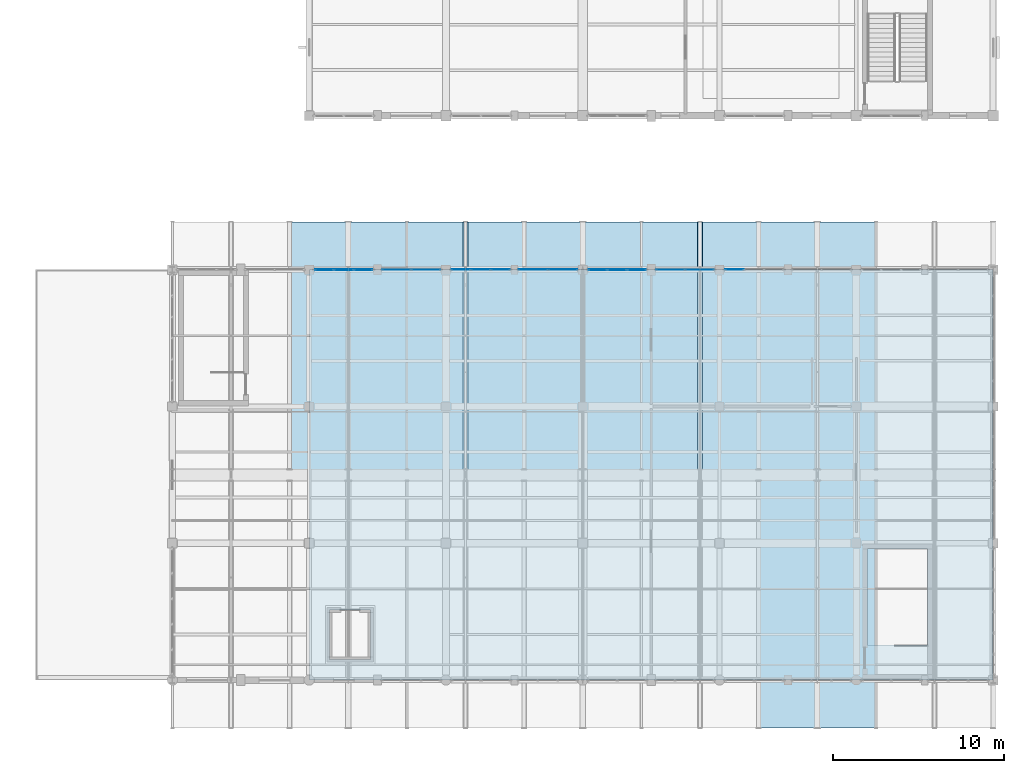
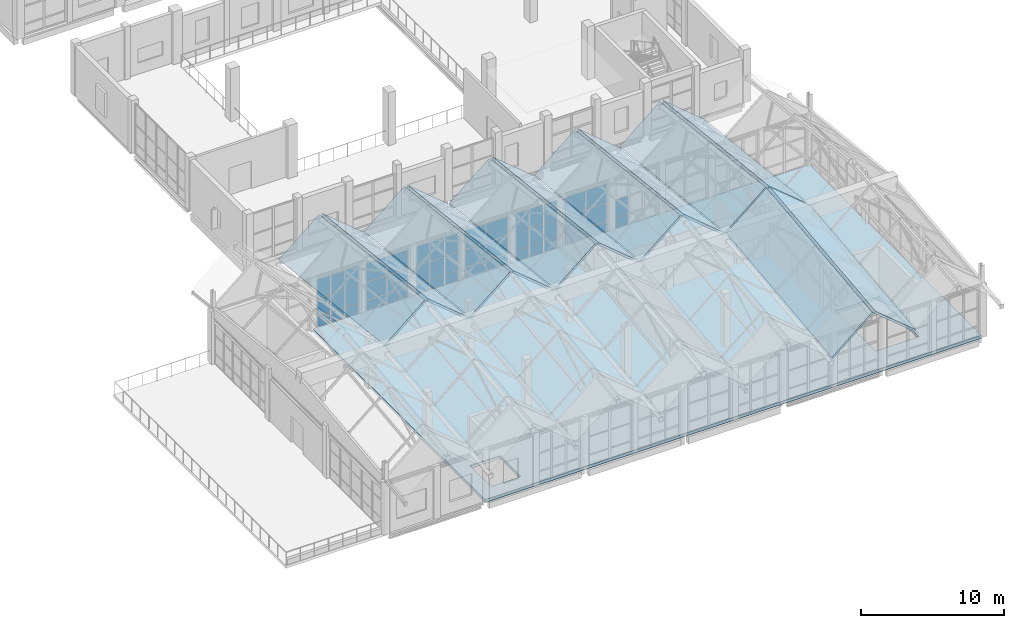
# One storey, part 126 of 183: 47 plates, 13 slabs, 7 elements without a shape of their own.
"""IFC4 building model written with IfcOpenShell, lengths in metres."""

from ifc_helpers import new_model, si_unit, direction, frame, origin, origin_2d, place, context, subcontext, project, spatial, polyline, rectangle, outline, extrude, material, layer, layer_set, type_object, element, aggregate, save


model = new_model("IFC4")

# Units and contexts
model_context = context("Model", 3, precision=1e-05, world=origin(), true_north=direction((0.0, 1.0)))
body_context = subcontext(model_context, "Body", "Model", "MODEL_VIEW")
ifc_project = project(units=[si_unit("LENGTHUNIT", "METRE"), si_unit("AREAUNIT", "SQUARE_METRE"), si_unit("VOLUMEUNIT", "CUBIC_METRE"), si_unit("PLANEANGLEUNIT", "RADIAN"), si_unit("MASSUNIT", "GRAM", prefix="KILO")], contexts=[model_context])

# Site, building, storey
site_placement = place(None, origin())
site = spatial("IfcSite", under=ifc_project, at=site_placement, CompositionType="ELEMENT")
building_placement = place(site_placement, origin())
building = spatial("IfcBuilding", under=site, at=building_placement, Name="Luwemba Playhouse", CompositionType="ELEMENT")
storey_placement = place(building_placement, frame((0.0, 0.0, 4.800048828125)))
storey = spatial("IfcBuildingStorey", under=building, at=storey_placement, Name="L01", CompositionType="ELEMENT", Elevation=4.800048828125)

# Curtain wall, plates
ifc_material_1 = material(Name="Solar-control double glazing", Category="glass")
curtain_wall_type_1 = type_object("IfcCurtainWallType", Name="CW-CW120", PredefinedType="USERDEFINED", material=ifc_material_1)
curtain_wall_1_placement = place(storey_placement, origin())
curtain_wall_1 = element("IfcCurtainWall", 1, at=curtain_wall_1_placement, inside=storey, type_object=curtain_wall_type_1, Name="L01 V5E unitised curtain wall 158", ObjectType="UNITISED GLAZING", PredefinedType="USERDEFINED")
ifc_layer_1 = layer(ifc_material_1, 0.02392578125)
ifc_layer_set_1 = layer_set([ifc_layer_1], Name="Solar-control double glazing")
plate_type_1 = type_object("IfcPlateType", Name="CWP-P1", PredefinedType="CURTAIN_PANEL", material=ifc_layer_set_1)
plate_1_placement = place(storey_placement, frame((137.114990234375, 27.0, 0.059814453125), z_axis=(0.0, 0.0, 1.0), x_axis=(1.0, 0.0, 0.0)))
plate_1 = element("IfcPlate", 2, at=plate_1_placement, type_object=plate_type_1, Name="CW120 panel 1.1", PredefinedType="CURTAIN_PANEL", context=body_context, shape_type="SweptSolid", body=[
    extrude(rectangle(XDim=1.659912109375, YDim=0.02392578125, at=origin_2d()), origin(), (0.0, 0.0, 1.0), 0.81005859375),
])
plate_2_placement = place(storey_placement, frame((137.114990234375, 27.0, 0.93017578125), z_axis=(0.0, 0.0, 1.0), x_axis=(1.0, 0.0, 0.0)))
plate_2 = element("IfcPlate", 3, at=plate_2_placement, type_object=plate_type_1, Name="CW120 panel 1.2", PredefinedType="CURTAIN_PANEL", context=body_context, shape_type="SweptSolid", body=[
    extrude(rectangle(XDim=1.659912109375, YDim=0.02392578125, at=origin_2d()), origin(), (0.0, 0.0, 1.0), 1.489990234375),
])
plate_3_placement = place(storey_placement, frame((137.114990234375, 27.0, 2.47998046875), z_axis=(0.0, 0.0, 1.0), x_axis=(1.0, 0.0, 0.0)))
plate_3 = element("IfcPlate", 4, at=plate_3_placement, type_object=plate_type_1, Name="CW120 panel 1.3", PredefinedType="CURTAIN_PANEL", context=body_context, shape_type="SweptSolid", body=[
    extrude(rectangle(XDim=1.659912109375, YDim=0.02392578125, at=origin_2d()), origin(), (0.0, 0.0, 1.0), 1.5849609375),
])
plate_4_placement = place(storey_placement, frame((138.8349609375, 27.0, 0.059814453125), z_axis=(0.0, 0.0, 1.0), x_axis=(1.0, 0.0, 0.0)))
plate_4 = element("IfcPlate", 5, at=plate_4_placement, type_object=plate_type_1, Name="CW120 panel 2.1", PredefinedType="CURTAIN_PANEL", context=body_context, shape_type="SweptSolid", body=[
    extrude(rectangle(XDim=1.659912109375, YDim=0.02392578125, at=origin_2d()), origin(), (0.0, 0.0, 1.0), 0.81005859375),
])
plate_5_placement = place(storey_placement, frame((138.8349609375, 27.0, 0.93017578125), z_axis=(0.0, 0.0, 1.0), x_axis=(1.0, 0.0, 0.0)))
plate_5 = element("IfcPlate", 6, at=plate_5_placement, type_object=plate_type_1, Name="CW120 panel 2.2", PredefinedType="CURTAIN_PANEL", context=body_context, shape_type="SweptSolid", body=[
    extrude(rectangle(XDim=1.659912109375, YDim=0.02392578125, at=origin_2d()), origin(), (0.0, 0.0, 1.0), 1.489990234375),
])
plate_6_placement = place(storey_placement, frame((138.8349609375, 27.0, 2.47998046875), z_axis=(0.0, 0.0, 1.0), x_axis=(1.0, 0.0, 0.0)))
plate_6 = element("IfcPlate", 7, at=plate_6_placement, type_object=plate_type_1, Name="CW120 panel 2.3", PredefinedType="CURTAIN_PANEL", context=body_context, shape_type="SweptSolid", body=[
    extrude(rectangle(XDim=1.659912109375, YDim=0.02392578125, at=origin_2d()), origin(), (0.0, 0.0, 1.0), 1.5849609375),
])
aggregate(curtain_wall_1, [plate_1, plate_2, plate_3, plate_4, plate_5, plate_6])

curtain_wall_type_2 = type_object("IfcCurtainWallType", Name="CW-CW124", PredefinedType="USERDEFINED", material=ifc_material_1)
curtain_wall_2_placement = place(storey_placement, origin())
curtain_wall_2 = element("IfcCurtainWall", 8, at=curtain_wall_2_placement, inside=storey, type_object=curtain_wall_type_2, Name="L01 V5E unitised curtain wall 162", ObjectType="UNITISED GLAZING", PredefinedType="USERDEFINED")
plate_7_placement = place(storey_placement, frame((153.1337890625, 27.0, 0.059814453125), z_axis=(0.0, 0.0, 1.0), x_axis=(1.0, 0.0, 0.0)))
plate_7 = element("IfcPlate", 9, at=plate_7_placement, type_object=plate_type_1, Name="CW124 panel 1.1", PredefinedType="CURTAIN_PANEL", context=body_context, shape_type="SweptSolid", body=[
    extrude(rectangle(XDim=1.6474609375, YDim=0.02392578125, at=origin_2d()), origin(), (0.0, 0.0, 1.0), 0.81005859375),
])
plate_8_placement = place(storey_placement, frame((153.1337890625, 27.0, 0.93017578125), z_axis=(0.0, 0.0, 1.0), x_axis=(1.0, 0.0, 0.0)))
plate_8 = element("IfcPlate", 10, at=plate_8_placement, type_object=plate_type_1, Name="CW124 panel 1.2", PredefinedType="CURTAIN_PANEL", context=body_context, shape_type="SweptSolid", body=[
    extrude(rectangle(XDim=1.6474609375, YDim=0.02392578125, at=origin_2d()), origin(), (0.0, 0.0, 1.0), 1.489990234375),
])
plate_9_placement = place(storey_placement, frame((153.1337890625, 27.0, 2.47998046875), z_axis=(0.0, 0.0, 1.0), x_axis=(1.0, 0.0, 0.0)))
plate_9 = element("IfcPlate", 11, at=plate_9_placement, type_object=plate_type_1, Name="CW124 panel 1.3", PredefinedType="CURTAIN_PANEL", context=body_context, shape_type="SweptSolid", body=[
    extrude(rectangle(XDim=1.6474609375, YDim=0.02392578125, at=origin_2d()), origin(), (0.0, 0.0, 1.0), 1.5849609375),
])
plate_10_placement = place(storey_placement, frame((154.84130859375, 27.0, 0.059814453125), z_axis=(0.0, 0.0, 1.0), x_axis=(1.0, 0.0, 0.0)))
plate_10 = element("IfcPlate", 12, at=plate_10_placement, type_object=plate_type_1, Name="CW124 panel 2.1", PredefinedType="CURTAIN_PANEL", context=body_context, shape_type="SweptSolid", body=[
    extrude(rectangle(XDim=1.6474609375, YDim=0.02392578125, at=origin_2d()), origin(), (0.0, 0.0, 1.0), 0.81005859375),
])
plate_11_placement = place(storey_placement, frame((154.84130859375, 27.0, 0.93017578125), z_axis=(0.0, 0.0, 1.0), x_axis=(1.0, 0.0, 0.0)))
plate_11 = element("IfcPlate", 13, at=plate_11_placement, type_object=plate_type_1, Name="CW124 panel 2.2", PredefinedType="CURTAIN_PANEL", context=body_context, shape_type="SweptSolid", body=[
    extrude(rectangle(XDim=1.6474609375, YDim=0.02392578125, at=origin_2d()), origin(), (0.0, 0.0, 1.0), 1.489990234375),
])
plate_12_placement = place(storey_placement, frame((154.84130859375, 27.0, 2.47998046875), z_axis=(0.0, 0.0, 1.0), x_axis=(1.0, 0.0, 0.0)))
plate_12 = element("IfcPlate", 14, at=plate_12_placement, type_object=plate_type_1, Name="CW124 panel 2.3", PredefinedType="CURTAIN_PANEL", context=body_context, shape_type="SweptSolid", body=[
    extrude(rectangle(XDim=1.6474609375, YDim=0.02392578125, at=origin_2d()), origin(), (0.0, 0.0, 1.0), 1.5849609375),
])
aggregate(curtain_wall_2, [plate_7, plate_8, plate_9, plate_10, plate_11, plate_12])

curtain_wall_type_3 = type_object("IfcCurtainWallType", Name="CW-CW121", PredefinedType="USERDEFINED", material=ifc_material_1)
curtain_wall_3_placement = place(storey_placement, origin())
curtain_wall_3 = element("IfcCurtainWall", 15, at=curtain_wall_3_placement, inside=storey, type_object=curtain_wall_type_3, Name="L01 V5E unitised curtain wall 159", ObjectType="UNITISED GLAZING", PredefinedType="USERDEFINED")
ifc_layer_2 = layer(ifc_material_1, 0.028076171875)
ifc_layer_set_2 = layer_set([ifc_layer_2], Name="Solar-control double glazing")
plate_type_2 = type_object("IfcPlateType", Name="CWP-P2", PredefinedType="CURTAIN_PANEL", material=ifc_layer_set_2)
plate_13_placement = place(storey_placement, frame((140.878662109375, 27.0, 0.054931640625), z_axis=(0.0, 0.0, 1.0), x_axis=(1.0, 0.0, 0.0)))
plate_13 = element("IfcPlate", 16, at=plate_13_placement, type_object=plate_type_2, Name="CW121 panel 1.1", PredefinedType="CURTAIN_PANEL", context=body_context, shape_type="SweptSolid", body=[
    extrude(rectangle(XDim=1.077392578125, YDim=0.028076171875, at=origin_2d()), origin(), (0.0, 0.0, 1.0), 0.8173828125),
])
plate_14_placement = place(storey_placement, frame((140.878662109375, 27.0, 0.927490234375), z_axis=(0.0, 0.0, 1.0), x_axis=(1.0, 0.0, 0.0)))
plate_14 = element("IfcPlate", 17, at=plate_14_placement, type_object=plate_type_2, Name="CW121 panel 1.2", PredefinedType="CURTAIN_PANEL", context=body_context, shape_type="SweptSolid", body=[
    extrude(rectangle(XDim=1.077392578125, YDim=0.028076171875, at=origin_2d()), origin(), (0.0, 0.0, 1.0), 1.4951171875),
])
plate_15_placement = place(storey_placement, frame((140.878662109375, 27.0, 2.4775390625), z_axis=(0.0, 0.0, 1.0), x_axis=(1.0, 0.0, 0.0)))
plate_15 = element("IfcPlate", 18, at=plate_15_placement, type_object=plate_type_2, Name="CW121 panel 1.3", PredefinedType="CURTAIN_PANEL", context=body_context, shape_type="SweptSolid", body=[
    extrude(rectangle(XDim=1.077392578125, YDim=0.028076171875, at=origin_2d()), origin(), (0.0, 0.0, 1.0), 1.592529296875),
])
plate_16_placement = place(storey_placement, frame((142.03759765625, 27.0, 0.054931640625), z_axis=(0.0, 0.0, 1.0), x_axis=(1.0, 0.0, 0.0)))
plate_16 = element("IfcPlate", 19, at=plate_16_placement, type_object=plate_type_2, Name="CW121 panel 2.1", PredefinedType="CURTAIN_PANEL", context=body_context, shape_type="SweptSolid", body=[
    extrude(rectangle(XDim=1.110107421875, YDim=0.028076171875, at=origin_2d()), origin(), (0.0, 0.0, 1.0), 0.8173828125),
])
plate_17_placement = place(storey_placement, frame((142.03759765625, 27.0, 0.927490234375), z_axis=(0.0, 0.0, 1.0), x_axis=(1.0, 0.0, 0.0)))
plate_17 = element("IfcPlate", 20, at=plate_17_placement, type_object=plate_type_2, Name="CW121 panel 2.2", PredefinedType="CURTAIN_PANEL", context=body_context, shape_type="SweptSolid", body=[
    extrude(rectangle(XDim=1.110107421875, YDim=0.028076171875, at=origin_2d()), origin(), (0.0, 0.0, 1.0), 1.4951171875),
])
plate_18_placement = place(storey_placement, frame((142.03759765625, 27.0, 2.4775390625), z_axis=(0.0, 0.0, 1.0), x_axis=(1.0, 0.0, 0.0)))
plate_18 = element("IfcPlate", 21, at=plate_18_placement, type_object=plate_type_2, Name="CW121 panel 2.3", PredefinedType="CURTAIN_PANEL", context=body_context, shape_type="SweptSolid", body=[
    extrude(rectangle(XDim=1.110107421875, YDim=0.028076171875, at=origin_2d()), origin(), (0.0, 0.0, 1.0), 1.592529296875),
])
plate_19_placement = place(storey_placement, frame((143.1962890625, 27.0, 0.054931640625), z_axis=(0.0, 0.0, 1.0), x_axis=(1.0, 0.0, 0.0)))
plate_19 = element("IfcPlate", 22, at=plate_19_placement, type_object=plate_type_2, Name="CW121 panel 3.1", PredefinedType="CURTAIN_PANEL", context=body_context, shape_type="SweptSolid", body=[
    extrude(rectangle(XDim=1.077392578125, YDim=0.028076171875, at=origin_2d()), origin(), (0.0, 0.0, 1.0), 0.8173828125),
])
plate_20_placement = place(storey_placement, frame((143.1962890625, 27.0, 0.927490234375), z_axis=(0.0, 0.0, 1.0), x_axis=(1.0, 0.0, 0.0)))
plate_20 = element("IfcPlate", 23, at=plate_20_placement, type_object=plate_type_2, Name="CW121 panel 3.2", PredefinedType="CURTAIN_PANEL", context=body_context, shape_type="SweptSolid", body=[
    extrude(rectangle(XDim=1.077392578125, YDim=0.028076171875, at=origin_2d()), origin(), (0.0, 0.0, 1.0), 1.4951171875),
])
plate_21_placement = place(storey_placement, frame((143.1962890625, 27.0, 2.4775390625), z_axis=(0.0, 0.0, 1.0), x_axis=(1.0, 0.0, 0.0)))
plate_21 = element("IfcPlate", 24, at=plate_21_placement, type_object=plate_type_2, Name="CW121 panel 3.3", PredefinedType="CURTAIN_PANEL", context=body_context, shape_type="SweptSolid", body=[
    extrude(rectangle(XDim=1.077392578125, YDim=0.028076171875, at=origin_2d()), origin(), (0.0, 0.0, 1.0), 1.592529296875),
])
aggregate(curtain_wall_3, [plate_13, plate_14, plate_15, plate_16, plate_17, plate_18, plate_19, plate_20, plate_21])

curtain_wall_type_4 = type_object("IfcCurtainWallType", Name="CW-CW125", PredefinedType="USERDEFINED", material=ifc_material_1)
curtain_wall_4_placement = place(storey_placement, origin())
curtain_wall_4 = element("IfcCurtainWall", 25, at=curtain_wall_4_placement, inside=storey, type_object=curtain_wall_type_4, Name="L01 V5E unitised curtain wall 163", ObjectType="UNITISED GLAZING", PredefinedType="USERDEFINED")
plate_22_placement = place(storey_placement, frame((156.87451171875, 27.0, 0.054931640625), z_axis=(0.0, 0.0, 1.0), x_axis=(1.0, 0.0, 0.0)))
plate_22 = element("IfcPlate", 26, at=plate_22_placement, type_object=plate_type_2, Name="CW125 panel 1.1", PredefinedType="CURTAIN_PANEL", context=body_context, shape_type="SweptSolid", body=[
    extrude(rectangle(XDim=1.069091796875, YDim=0.028076171875, at=origin_2d()), origin(), (0.0, 0.0, 1.0), 0.8173828125),
])
plate_23_placement = place(storey_placement, frame((156.87451171875, 27.0, 0.927490234375), z_axis=(0.0, 0.0, 1.0), x_axis=(1.0, 0.0, 0.0)))
plate_23 = element("IfcPlate", 27, at=plate_23_placement, type_object=plate_type_2, Name="CW125 panel 1.2", PredefinedType="CURTAIN_PANEL", context=body_context, shape_type="SweptSolid", body=[
    extrude(rectangle(XDim=1.069091796875, YDim=0.028076171875, at=origin_2d()), origin(), (0.0, 0.0, 1.0), 1.4951171875),
])
aggregate(curtain_wall_4, [plate_22, plate_23])

curtain_wall_type_5 = type_object("IfcCurtainWallType", Name="CW-CW122", PredefinedType="USERDEFINED", material=ifc_material_1)
curtain_wall_5_placement = place(storey_placement, origin())
curtain_wall_5 = element("IfcCurtainWall", 28, at=curtain_wall_5_placement, inside=storey, type_object=curtain_wall_type_5, Name="L01 V5E unitised curtain wall 160", ObjectType="UNITISED GLAZING", PredefinedType="USERDEFINED")
ifc_layer_3 = layer(ifc_material_1, 0.031982421875)
ifc_layer_set_3 = layer_set([ifc_layer_3], Name="Solar-control double glazing")
plate_type_3 = type_object("IfcPlateType", Name="CWP-P3", PredefinedType="CURTAIN_PANEL", material=ifc_layer_set_3)
plate_24_placement = place(storey_placement, frame((145.094970703125, 27.0, 0.06494140625), z_axis=(0.0, 0.0, 1.0), x_axis=(1.0, 0.0, 0.0)))
plate_24 = element("IfcPlate", 29, at=plate_24_placement, type_object=plate_type_3, Name="CW122 panel 1.1", PredefinedType="CURTAIN_PANEL", context=body_context, shape_type="SweptSolid", body=[
    extrude(rectangle(XDim=1.679931640625, YDim=0.031982421875, at=origin_2d()), origin(), (0.0, 0.0, 1.0), 0.802490234375),
])
plate_25_placement = place(storey_placement, frame((145.094970703125, 27.0, 0.9326171875), z_axis=(0.0, 0.0, 1.0), x_axis=(1.0, 0.0, 0.0)))
plate_25 = element("IfcPlate", 30, at=plate_25_placement, type_object=plate_type_3, Name="CW122 panel 1.2", PredefinedType="CURTAIN_PANEL", context=body_context, shape_type="SweptSolid", body=[
    extrude(rectangle(XDim=1.679931640625, YDim=0.031982421875, at=origin_2d()), origin(), (0.0, 0.0, 1.0), 1.485107421875),
])
plate_26_placement = place(storey_placement, frame((145.094970703125, 27.0, 2.482421875), z_axis=(0.0, 0.0, 1.0), x_axis=(1.0, 0.0, 0.0)))
plate_26 = element("IfcPlate", 31, at=plate_26_placement, type_object=plate_type_3, Name="CW122 panel 1.3", PredefinedType="CURTAIN_PANEL", context=body_context, shape_type="SweptSolid", body=[
    extrude(rectangle(XDim=1.679931640625, YDim=0.031982421875, at=origin_2d()), origin(), (0.0, 0.0, 1.0), 1.577392578125),
])
plate_27_placement = place(storey_placement, frame((146.830078125, 27.0, 0.06494140625), z_axis=(0.0, 0.0, 1.0), x_axis=(1.0, 0.0, 0.0)))
plate_27 = element("IfcPlate", 32, at=plate_27_placement, type_object=plate_type_3, Name="CW122 panel 2.1", PredefinedType="CURTAIN_PANEL", context=body_context, shape_type="SweptSolid", body=[
    extrude(rectangle(XDim=1.679931640625, YDim=0.031982421875, at=origin_2d()), origin(), (0.0, 0.0, 1.0), 0.802490234375),
])
plate_28_placement = place(storey_placement, frame((146.830078125, 27.0, 0.9326171875), z_axis=(0.0, 0.0, 1.0), x_axis=(1.0, 0.0, 0.0)))
plate_28 = element("IfcPlate", 33, at=plate_28_placement, type_object=plate_type_3, Name="CW122 panel 2.2", PredefinedType="CURTAIN_PANEL", context=body_context, shape_type="SweptSolid", body=[
    extrude(rectangle(XDim=1.679931640625, YDim=0.031982421875, at=origin_2d()), origin(), (0.0, 0.0, 1.0), 1.485107421875),
])
plate_29_placement = place(storey_placement, frame((146.830078125, 27.0, 2.482421875), z_axis=(0.0, 0.0, 1.0), x_axis=(1.0, 0.0, 0.0)))
plate_29 = element("IfcPlate", 34, at=plate_29_placement, type_object=plate_type_3, Name="CW122 panel 2.3", PredefinedType="CURTAIN_PANEL", context=body_context, shape_type="SweptSolid", body=[
    extrude(rectangle(XDim=1.679931640625, YDim=0.031982421875, at=origin_2d()), origin(), (0.0, 0.0, 1.0), 1.577392578125),
])
aggregate(curtain_wall_5, [plate_24, plate_25, plate_26, plate_27, plate_28, plate_29])

curtain_wall_type_6 = type_object("IfcCurtainWallType", Name="CW-CW119", PredefinedType="USERDEFINED", material=ifc_material_1)
curtain_wall_6_placement = place(storey_placement, origin())
curtain_wall_6 = element("IfcCurtainWall", 35, at=curtain_wall_6_placement, inside=storey, type_object=curtain_wall_type_6, Name="L01 V5E unitised curtain wall 157", ObjectType="UNITISED GLAZING", PredefinedType="USERDEFINED")
ifc_layer_4 = layer(ifc_material_1, 0.035888671875)
ifc_layer_set_4 = layer_set([ifc_layer_4], Name="Solar-control double glazing")
plate_type_4 = type_object("IfcPlateType", Name="CWP-P4", PredefinedType="CURTAIN_PANEL", material=ifc_layer_set_4)
plate_30_placement = place(storey_placement, frame((132.875732421875, 27.0, 0.0498046875), z_axis=(0.0, 0.0, 1.0), x_axis=(1.0, 0.0, 0.0)))
plate_30 = element("IfcPlate", 36, at=plate_30_placement, type_object=plate_type_4, Name="CW119 panel 1.1", PredefinedType="CURTAIN_PANEL", context=body_context, shape_type="SweptSolid", body=[
    extrude(rectangle(XDim=1.061767578125, YDim=0.035888671875, at=origin_2d()), origin(), (0.0, 0.0, 1.0), 0.824951171875),
])
plate_31_placement = place(storey_placement, frame((132.875732421875, 27.0, 0.925048828125), z_axis=(0.0, 0.0, 1.0), x_axis=(1.0, 0.0, 0.0)))
plate_31 = element("IfcPlate", 37, at=plate_31_placement, type_object=plate_type_4, Name="CW119 panel 1.2", PredefinedType="CURTAIN_PANEL", context=body_context, shape_type="SweptSolid", body=[
    extrude(rectangle(XDim=1.061767578125, YDim=0.035888671875, at=origin_2d()), origin(), (0.0, 0.0, 1.0), 1.5),
])
plate_32_placement = place(storey_placement, frame((132.875732421875, 27.0, 2.474853515625), z_axis=(0.0, 0.0, 1.0), x_axis=(1.0, 0.0, 0.0)))
plate_32 = element("IfcPlate", 38, at=plate_32_placement, type_object=plate_type_4, Name="CW119 panel 1.3", PredefinedType="CURTAIN_PANEL", context=body_context, shape_type="SweptSolid", body=[
    extrude(rectangle(XDim=1.061767578125, YDim=0.035888671875, at=origin_2d()), origin(), (0.0, 0.0, 1.0), 1.60009765625),
])
plate_33_placement = place(storey_placement, frame((134.02490234375, 27.0, 0.0498046875), z_axis=(0.0, 0.0, 1.0), x_axis=(1.0, 0.0, 0.0)))
plate_33 = element("IfcPlate", 39, at=plate_33_placement, type_object=plate_type_4, Name="CW119 panel 2.1", PredefinedType="CURTAIN_PANEL", context=body_context, shape_type="SweptSolid", body=[
    extrude(rectangle(XDim=1.0966796875, YDim=0.035888671875, at=origin_2d()), origin(), (0.0, 0.0, 1.0), 0.824951171875),
])
plate_34_placement = place(storey_placement, frame((134.02490234375, 27.0, 0.925048828125), z_axis=(0.0, 0.0, 1.0), x_axis=(1.0, 0.0, 0.0)))
plate_34 = element("IfcPlate", 40, at=plate_34_placement, type_object=plate_type_4, Name="CW119 panel 2.2", PredefinedType="CURTAIN_PANEL", context=body_context, shape_type="SweptSolid", body=[
    extrude(rectangle(XDim=1.0966796875, YDim=0.035888671875, at=origin_2d()), origin(), (0.0, 0.0, 1.0), 1.5),
])
plate_35_placement = place(storey_placement, frame((134.02490234375, 27.0, 2.474853515625), z_axis=(0.0, 0.0, 1.0), x_axis=(1.0, 0.0, 0.0)))
plate_35 = element("IfcPlate", 41, at=plate_35_placement, type_object=plate_type_4, Name="CW119 panel 2.3", PredefinedType="CURTAIN_PANEL", context=body_context, shape_type="SweptSolid", body=[
    extrude(rectangle(XDim=1.0966796875, YDim=0.035888671875, at=origin_2d()), origin(), (0.0, 0.0, 1.0), 1.60009765625),
])
plate_36_placement = place(storey_placement, frame((135.174072265625, 27.0, 0.0498046875), z_axis=(0.0, 0.0, 1.0), x_axis=(1.0, 0.0, 0.0)))
plate_36 = element("IfcPlate", 42, at=plate_36_placement, type_object=plate_type_4, Name="CW119 panel 3.1", PredefinedType="CURTAIN_PANEL", context=body_context, shape_type="SweptSolid", body=[
    extrude(rectangle(XDim=1.061767578125, YDim=0.035888671875, at=origin_2d()), origin(), (0.0, 0.0, 1.0), 0.824951171875),
])
plate_37_placement = place(storey_placement, frame((135.174072265625, 27.0, 0.925048828125), z_axis=(0.0, 0.0, 1.0), x_axis=(1.0, 0.0, 0.0)))
plate_37 = element("IfcPlate", 43, at=plate_37_placement, type_object=plate_type_4, Name="CW119 panel 3.2", PredefinedType="CURTAIN_PANEL", context=body_context, shape_type="SweptSolid", body=[
    extrude(rectangle(XDim=1.061767578125, YDim=0.035888671875, at=origin_2d()), origin(), (0.0, 0.0, 1.0), 1.5),
])
plate_38_placement = place(storey_placement, frame((135.174072265625, 27.0, 2.474853515625), z_axis=(0.0, 0.0, 1.0), x_axis=(1.0, 0.0, 0.0)))
plate_38 = element("IfcPlate", 44, at=plate_38_placement, type_object=plate_type_4, Name="CW119 panel 3.3", PredefinedType="CURTAIN_PANEL", context=body_context, shape_type="SweptSolid", body=[
    extrude(rectangle(XDim=1.061767578125, YDim=0.035888671875, at=origin_2d()), origin(), (0.0, 0.0, 1.0), 1.60009765625),
])
aggregate(curtain_wall_6, [plate_30, plate_31, plate_32, plate_33, plate_34, plate_35, plate_36, plate_37, plate_38])

curtain_wall_type_7 = type_object("IfcCurtainWallType", Name="CW-CW123", PredefinedType="USERDEFINED", material=ifc_material_1)
curtain_wall_7_placement = place(storey_placement, origin())
curtain_wall_7 = element("IfcCurtainWall", 45, at=curtain_wall_7_placement, inside=storey, type_object=curtain_wall_type_7, Name="L01 V5E unitised curtain wall 161", ObjectType="UNITISED GLAZING", PredefinedType="USERDEFINED")
plate_39_placement = place(storey_placement, frame((148.87158203125, 27.0, 0.0498046875), z_axis=(0.0, 0.0, 1.0), x_axis=(1.0, 0.0, 0.0)))
plate_39 = element("IfcPlate", 46, at=plate_39_placement, type_object=plate_type_4, Name="CW123 panel 1.1", PredefinedType="CURTAIN_PANEL", context=body_context, shape_type="SweptSolid", body=[
    extrude(rectangle(XDim=1.05322265625, YDim=0.035888671875, at=origin_2d()), origin(), (0.0, 0.0, 1.0), 0.824951171875),
])
plate_40_placement = place(storey_placement, frame((148.87158203125, 27.0, 0.925048828125), z_axis=(0.0, 0.0, 1.0), x_axis=(1.0, 0.0, 0.0)))
plate_40 = element("IfcPlate", 47, at=plate_40_placement, type_object=plate_type_4, Name="CW123 panel 1.2", PredefinedType="CURTAIN_PANEL", context=body_context, shape_type="SweptSolid", body=[
    extrude(rectangle(XDim=1.05322265625, YDim=0.035888671875, at=origin_2d()), origin(), (0.0, 0.0, 1.0), 1.5),
])
plate_41_placement = place(storey_placement, frame((148.87158203125, 27.0, 2.474853515625), z_axis=(0.0, 0.0, 1.0), x_axis=(1.0, 0.0, 0.0)))
plate_41 = element("IfcPlate", 48, at=plate_41_placement, type_object=plate_type_4, Name="CW123 panel 1.3", PredefinedType="CURTAIN_PANEL", context=body_context, shape_type="SweptSolid", body=[
    extrude(rectangle(XDim=1.05322265625, YDim=0.035888671875, at=origin_2d()), origin(), (0.0, 0.0, 1.0), 1.60009765625),
])
plate_42_placement = place(storey_placement, frame((150.012451171875, 27.0, 0.0498046875), z_axis=(0.0, 0.0, 1.0), x_axis=(1.0, 0.0, 0.0)))
plate_42 = element("IfcPlate", 49, at=plate_42_placement, type_object=plate_type_4, Name="CW123 panel 2.1", PredefinedType="CURTAIN_PANEL", context=body_context, shape_type="SweptSolid", body=[
    extrude(rectangle(XDim=1.08837890625, YDim=0.035888671875, at=origin_2d()), origin(), (0.0, 0.0, 1.0), 0.824951171875),
])
plate_43_placement = place(storey_placement, frame((150.012451171875, 27.0, 0.925048828125), z_axis=(0.0, 0.0, 1.0), x_axis=(1.0, 0.0, 0.0)))
plate_43 = element("IfcPlate", 50, at=plate_43_placement, type_object=plate_type_4, Name="CW123 panel 2.2", PredefinedType="CURTAIN_PANEL", context=body_context, shape_type="SweptSolid", body=[
    extrude(rectangle(XDim=1.08837890625, YDim=0.035888671875, at=origin_2d()), origin(), (0.0, 0.0, 1.0), 1.5),
])
plate_44_placement = place(storey_placement, frame((150.012451171875, 27.0, 2.474853515625), z_axis=(0.0, 0.0, 1.0), x_axis=(1.0, 0.0, 0.0)))
plate_44 = element("IfcPlate", 51, at=plate_44_placement, type_object=plate_type_4, Name="CW123 panel 2.3", PredefinedType="CURTAIN_PANEL", context=body_context, shape_type="SweptSolid", body=[
    extrude(rectangle(XDim=1.08837890625, YDim=0.035888671875, at=origin_2d()), origin(), (0.0, 0.0, 1.0), 1.60009765625),
])
plate_45_placement = place(storey_placement, frame((151.1533203125, 27.0, 0.0498046875), z_axis=(0.0, 0.0, 1.0), x_axis=(1.0, 0.0, 0.0)))
plate_45 = element("IfcPlate", 52, at=plate_45_placement, type_object=plate_type_4, Name="CW123 panel 3.1", PredefinedType="CURTAIN_PANEL", context=body_context, shape_type="SweptSolid", body=[
    extrude(rectangle(XDim=1.05322265625, YDim=0.035888671875, at=origin_2d()), origin(), (0.0, 0.0, 1.0), 0.824951171875),
])
plate_46_placement = place(storey_placement, frame((151.1533203125, 27.0, 0.925048828125), z_axis=(0.0, 0.0, 1.0), x_axis=(1.0, 0.0, 0.0)))
plate_46 = element("IfcPlate", 53, at=plate_46_placement, type_object=plate_type_4, Name="CW123 panel 3.2", PredefinedType="CURTAIN_PANEL", context=body_context, shape_type="SweptSolid", body=[
    extrude(rectangle(XDim=1.05322265625, YDim=0.035888671875, at=origin_2d()), origin(), (0.0, 0.0, 1.0), 1.5),
])
plate_47_placement = place(storey_placement, frame((151.1533203125, 27.0, 2.474853515625), z_axis=(0.0, 0.0, 1.0), x_axis=(1.0, 0.0, 0.0)))
plate_47 = element("IfcPlate", 54, at=plate_47_placement, type_object=plate_type_4, Name="CW123 panel 3.3", PredefinedType="CURTAIN_PANEL", context=body_context, shape_type="SweptSolid", body=[
    extrude(rectangle(XDim=1.05322265625, YDim=0.035888671875, at=origin_2d()), origin(), (0.0, 0.0, 1.0), 1.60009765625),
])
aggregate(curtain_wall_7, [plate_39, plate_40, plate_41, plate_42, plate_43, plate_44, plate_45, plate_46, plate_47])

# Slabs
ifc_material_2 = material(Name="Concrete C40/50", Category="concrete")
ifc_layer_5 = layer(ifc_material_2, 0.25)
ifc_layer_set_5 = layer_set([ifc_layer_5], Name="Concrete C40/50")
slab_type_1 = type_object("IfcSlabType", Name="SLB-FLR-250", PredefinedType="FLOOR", material=ifc_layer_set_5)
slab_1_placement = place(storey_placement, frame((0.0, 0.0, -0.25)))
element("IfcSlab", 55, at=slab_1_placement, inside=storey, type_object=slab_type_1, Name="L01 V5E structural floor slab", PredefinedType="FLOOR", context=body_context, shape_type="SweptSolid", body=[
    extrude(outline(polyline([(172.0, 27.0), (172.0, 3.0), (132.030029296875, 3.0), (132.030029296875, 27.0), (172.0, 27.0)]), holes=[polyline([(135.60009765625, 4.199951171875), (135.60009765625, 7.10009765625), (133.199951171875, 7.10009765625), (133.199951171875, 4.199951171875), (135.60009765625, 4.199951171875)]), polyline([(168.14990234375, 5.0400390625), (168.14990234375, 10.659912109375), (164.64990234375, 10.659912109375), (164.64990234375, 5.0400390625), (168.14990234375, 5.0400390625)])]), origin(), (0.0, 0.0, 1.0), 0.25),
])
ifc_material_3 = material(Name="Concrete C32/40", Category="concrete")
ifc_layer_6 = layer(ifc_material_3, 0.179931640625)
ifc_layer_set_6 = layer_set([ifc_layer_6], Name="Concrete C32/40")
slab_type_2 = type_object("IfcSlabType", Name="SLB-ROOF-180", PredefinedType="ROOF", material=ifc_layer_set_6)
slab_2_placement = place(storey_placement, frame((130.897216796875, 15.06005859375, 6.23046875), z_axis=(-0.637691519391, 0.085736622375, 0.765505556923), x_axis=(0.768334690779, 0.0, 0.64004828173)))
element("IfcSlab", 56, at=slab_2_placement, inside=storey, type_object=slab_type_2, Name="RF-V5E pleated roof facet 3N", PredefinedType="ROOF", context=body_context, shape_type="SweptSolid", body=[
    extrude(outline(polyline([(0.0, 0.0), (4.234375992384228, -5.551115123125783e-17), (3.1777337850943366, 14.794465874723059), (-1.0566422072898916, 14.794465874723059), (0.0, 0.0)])), origin(), (0.0, 0.0, -1.0), 0.179931640625),
])
slab_3_placement = place(storey_placement, frame((134.420654296875, 15.06005859375, 8.940673828125), z_axis=(0.637663126558, 0.085739238502, 0.765528915201), x_axis=(0.768358309003, 0.0, -0.640019928585)))
element("IfcSlab", 57, at=slab_3_placement, inside=storey, type_object=slab_type_2, Name="RF-V5E pleated roof facet 4N", PredefinedType="ROOF", context=body_context, shape_type="SweptSolid", body=[
    extrude(outline(polyline([(0.0, 0.0), (4.234563576978991, -2.7755575615628914e-17), (5.291158976658923, 14.794469217716017), (1.056595399679931, 14.794469217716017), (0.0, 0.0)])), origin(), (0.0, 0.0, -1.0), 0.179931640625),
])
slab_4_placement = place(storey_placement, frame((137.75439453125, 15.06005859375, 6.23046875), z_axis=(-0.637725602192, 0.085733481713, 0.765477515295), x_axis=(0.768306337106, 0.0, 0.640082316865)))
element("IfcSlab", 58, at=slab_4_placement, inside=storey, type_object=slab_type_2, Name="RF-V5E pleated roof facet 5N", PredefinedType="ROOF", context=body_context, shape_type="SweptSolid", body=[
    extrude(outline(polyline([(0.0, 0.0), (4.234532258326516, -2.7755575615628914e-17), (3.1778338631501537, 14.794461861595483), (-1.0566983951763627, 14.794461861595481), (0.0, 0.0)])), origin(), (0.0, 0.0, -1.0), 0.179931640625),
])
slab_5_placement = place(storey_placement, frame((141.27783203125, 15.06005859375, 8.940673828125), z_axis=(0.637663126558, 0.085739238502, 0.765528915201), x_axis=(0.768358309003, 0.0, -0.640019928585)))
element("IfcSlab", 59, at=slab_5_placement, inside=storey, type_object=slab_type_2, Name="RF-V5E pleated roof facet 6N", PredefinedType="ROOF", context=body_context, shape_type="SweptSolid", body=[
    extrude(outline(polyline([(0.0, 0.0), (4.234563576978991, -2.7755575615628914e-17), (5.291158976658923, 14.794469217716017), (1.056595399679931, 14.794469217716017), (0.0, 0.0)])), origin(), (0.0, 0.0, -1.0), 0.179931640625),
])
slab_6_placement = place(storey_placement, frame((144.611328125, 15.06005859375, 6.23046875), z_axis=(-0.637663126558, 0.085739238502, 0.765528915201), x_axis=(0.768358309003, 0.0, 0.640019928585)))
element("IfcSlab", 60, at=slab_6_placement, inside=storey, type_object=slab_type_2, Name="RF-V5E pleated roof facet 7N", PredefinedType="ROOF", context=body_context, shape_type="SweptSolid", body=[
    extrude(outline(polyline([(0.0, 0.0), (4.234563576978991, 2.7755575615628914e-17), (3.1779681772990607, 14.794469217716019), (-1.056595399679931, 14.794469217716017), (0.0, 0.0)])), origin(), (0.0, 0.0, -1.0), 0.179931640625),
])
slab_7_placement = place(storey_placement, frame((148.135009765625, 15.06005859375, 8.940673828125), z_axis=(0.637663126558, 0.085739238502, 0.765528915201), x_axis=(0.768358309003, 0.0, -0.640019928585)))
element("IfcSlab", 61, at=slab_7_placement, inside=storey, type_object=slab_type_2, Name="RF-V5E pleated roof facet 8N", PredefinedType="ROOF", context=body_context, shape_type="SweptSolid", body=[
    extrude(outline(polyline([(0.0, 0.0), (4.234563576978991, -2.7755575615628914e-17), (5.291158976658923, 14.794469217716017), (1.056595399679931, 14.794469217716017), (0.0, 0.0)])), origin(), (0.0, 0.0, -1.0), 0.179931640625),
])
slab_8_placement = place(storey_placement, frame((151.468505859375, 15.06005859375, 6.23046875), z_axis=(-0.637663126558, 0.085739238502, 0.765528915201), x_axis=(0.768358309003, 0.0, 0.640019928585)))
element("IfcSlab", 62, at=slab_8_placement, inside=storey, type_object=slab_type_2, Name="RF-V5E pleated roof facet 9N", PredefinedType="ROOF", context=body_context, shape_type="SweptSolid", body=[
    extrude(outline(polyline([(0.0, 0.0), (4.234563576978991, 2.7755575615628914e-17), (3.1779681772990607, 14.794469217716019), (-1.056595399679931, 14.794469217716017), (0.0, 0.0)])), origin(), (0.0, 0.0, -1.0), 0.179931640625),
])
slab_9_placement = place(storey_placement, frame((154.9921875, 15.06005859375, 8.94091796875), z_axis=(0.637725602192, 0.085733481713, 0.765477515295), x_axis=(0.768306337106, 0.0, -0.640082316865)))
element("IfcSlab", 63, at=slab_9_placement, inside=storey, type_object=slab_type_2, Name="RF-V5E pleated roof facet 10N", PredefinedType="ROOF", context=body_context, shape_type="SweptSolid", body=[
    extrude(outline(polyline([(0.0, 0.0), (4.234532258326516, 2.7755575615628914e-17), (5.291230653502879, 14.794461861595481), (1.0566983951763627, 14.794461861595481), (0.0, 0.0)])), origin(), (0.0, 0.0, -1.0), 0.179931640625),
])
slab_10_placement = place(storey_placement, frame((158.32568359375, 0.199951171875, 4.57958984375), z_axis=(-0.637663126558, -0.085739238502, 0.765528915201), x_axis=(0.768358309003, 0.0, 0.640019928585)))
element("IfcSlab", 64, at=slab_10_placement, inside=storey, type_object=slab_type_2, Name="RF-V5E pleated roof facet 11S", PredefinedType="ROOF", context=body_context, shape_type="SweptSolid", body=[
    extrude(outline(polyline([(0.0, 0.0), (4.234563576978991, -2.7755575615628914e-17), (5.291158976658923, 14.794469217716017), (1.056595399679931, 14.794469217716017), (0.0, 0.0)])), origin(), (0.0, 0.0, -1.0), 0.179931640625),
])
slab_11_placement = place(storey_placement, frame((158.32568359375, 15.06005859375, 6.23046875), z_axis=(-0.637663126558, 0.085739238502, 0.765528915201), x_axis=(0.768358309003, 0.0, 0.640019928585)))
element("IfcSlab", 65, at=slab_11_placement, inside=storey, type_object=slab_type_2, Name="RF-V5E pleated roof facet 11N", PredefinedType="ROOF", context=body_context, shape_type="SweptSolid", body=[
    extrude(outline(polyline([(0.0, 0.0), (4.234563576978991, 2.7755575615628914e-17), (3.1779681772990607, 14.794469217716019), (-1.056595399679931, 14.794469217716017), (0.0, 0.0)])), origin(), (0.0, 0.0, -1.0), 0.179931640625),
])
slab_12_placement = place(storey_placement, frame((161.849365234375, 0.199951171875, 7.289794921875), z_axis=(0.637691519391, -0.085736622375, 0.765505556923), x_axis=(0.768334690779, 0.0, -0.64004828173)))
element("IfcSlab", 66, at=slab_12_placement, inside=storey, type_object=slab_type_2, Name="RF-V5E pleated roof facet 12S", PredefinedType="ROOF", context=body_context, shape_type="SweptSolid", body=[
    extrude(outline(polyline([(0.0, 0.0), (4.234375992384228, -5.551115123125783e-17), (3.1777337850943366, 14.794465874723059), (-1.0566422072898916, 14.794465874723059), (0.0, 0.0)])), origin(), (0.0, 0.0, -1.0), 0.179931640625),
])
slab_13_placement = place(storey_placement, frame((161.849365234375, 15.06005859375, 8.940673828125), z_axis=(0.637691519391, 0.085736622375, 0.765505556923), x_axis=(0.768334690779, 0.0, -0.64004828173)))
element("IfcSlab", 67, at=slab_13_placement, inside=storey, type_object=slab_type_2, Name="RF-V5E pleated roof facet 12N", PredefinedType="ROOF", context=body_context, shape_type="SweptSolid", body=[
    extrude(outline(polyline([(0.0, 0.0), (4.234375992384228, 5.551115123125783e-17), (5.29101819967412, 14.794465874723059), (1.0566422072898916, 14.794465874723059), (0.0, 0.0)])), origin(), (0.0, 0.0, -1.0), 0.179931640625),
])

save(model, "model.ifc")
